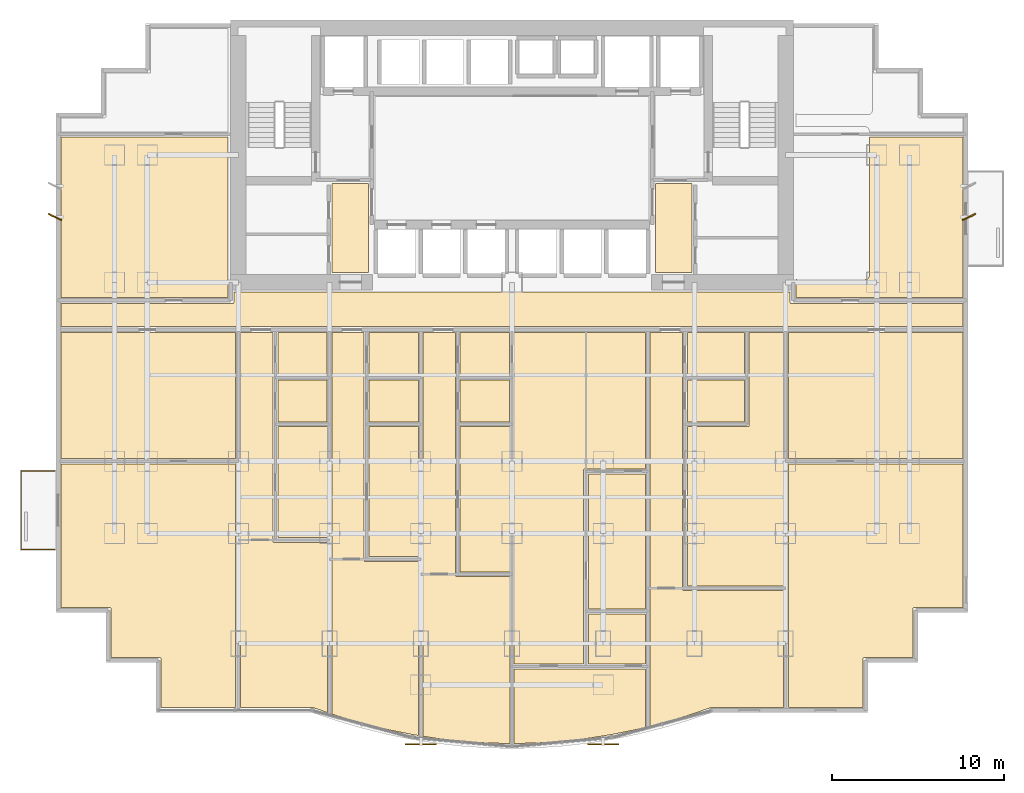
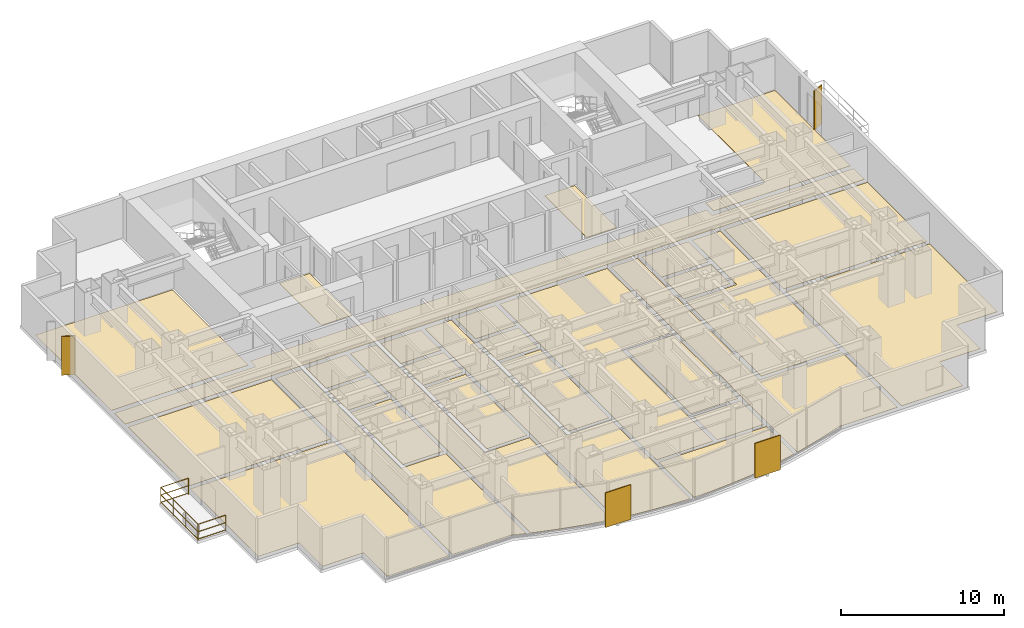
# One storey, part 9 of 10: 29 coverings, 4 shading devices, 1 railing.
"""IFC4 building model written with IfcOpenShell, lengths in metres."""

from ifc_helpers import new_model, si_unit, direction, frame, origin, origin_2d, place, context, subcontext, project, spatial, polyline, rectangle, circle, outline, extrude, source, transform, mapped, material, layer, layer_set, type_object, element, save


model = new_model("IFC4")

# Units and contexts
model_context = context("Model", 3, precision=1e-05, world=origin(), true_north=direction((0.0, 1.0)))
body_context = subcontext(model_context, "Body", "Model", "MODEL_VIEW")
ifc_project = project(units=[si_unit("LENGTHUNIT", "METRE"), si_unit("AREAUNIT", "SQUARE_METRE"), si_unit("VOLUMEUNIT", "CUBIC_METRE"), si_unit("PLANEANGLEUNIT", "RADIAN"), si_unit("MASSUNIT", "GRAM", prefix="KILO")], contexts=[model_context])

# Site, building, storey
site_placement = place(None, origin())
site = spatial("IfcSite", under=ifc_project, at=site_placement, CompositionType="ELEMENT")
building_placement = place(site_placement, origin())
building = spatial("IfcBuilding", under=site, at=building_placement, Name="Qianlan Lanfeng Residences", CompositionType="ELEMENT")
storey_placement = place(building_placement, frame((0.0, 0.0, 37.39990234375)))
storey = spatial("IfcBuildingStorey", under=building, at=storey_placement, Name="L09", CompositionType="ELEMENT", Elevation=37.39990234375)

# Coverings
ifc_material_1 = material(Name="Honed Taitung Granite Stone Flooring", Category="masonry")
ifc_layer_1 = layer(ifc_material_1, 0.030029296875)
ifc_layer_set_1 = layer_set([ifc_layer_1], Name="Honed Taitung Granite Stone Flooring")
covering_type_1 = type_object("IfcCoveringType", Name="FLR-STN-30", PredefinedType="FLOORING", material=ifc_layer_set_1)
covering_1_placement = place(storey_placement, origin())
element("IfcCovering", 1, at=covering_1_placement, inside=storey, type_object=covering_type_1, Name="L09 Residential Corridor Floor Finish", PredefinedType="FLOORING", context=body_context, shape_type="SweptSolid", body=[
    extrude(outline(polyline([(0.2900390625, 22.6298828125), (52.7099609375, 22.6298828125), (52.7099609375, 23.969970703125), (42.739990234375, 23.969970703125), (42.73291015625, 23.969970703125), (42.72607421875, 23.970947265625), (42.719970703125, 23.972900390625), (42.712890625, 23.97509765625), (42.70703125, 23.97802734375), (42.700927734375, 23.98193359375), (42.696044921875, 23.986083984375), (42.69091796875, 23.990966796875), (42.68603515625, 23.99609375), (42.681884765625, 24.0009765625), (42.677978515625, 24.007080078125), (42.675048828125, 24.012939453125), (42.673095703125, 24.02001953125), (42.6708984375, 24.02587890625), (42.669921875, 24.032958984375), (42.669921875, 24.0400390625), (42.669921875, 24.64990234375), (10.330078125, 24.64990234375), (10.330078125, 24.0400390625), (10.330078125, 24.032958984375), (10.3291015625, 24.02587890625), (10.326904296875, 24.02001953125), (10.324951171875, 24.012939453125), (10.322021484375, 24.007080078125), (10.318115234375, 24.0009765625), (10.31396484375, 23.99609375), (10.30908203125, 23.990966796875), (10.303955078125, 23.986083984375), (10.299072265625, 23.98193359375), (10.29296875, 23.97802734375), (10.287109375, 23.97509765625), (10.280029296875, 23.972900390625), (10.27392578125, 23.970947265625), (10.26708984375, 23.969970703125), (10.260009765625, 23.969970703125), (0.2900390625, 23.969970703125), (0.2900390625, 22.6298828125)])), origin(), (0.0, 0.0, 1.0), 0.030029296875),
])
covering_2_placement = place(storey_placement, origin())
element("IfcCovering", 2, at=covering_2_placement, inside=storey, type_object=covering_type_1, Name="L09 Lift Lobby Floor Finish", PredefinedType="FLOORING", context=body_context, shape_type="SweptSolid", body=[
    extrude(outline(polyline([(16.030029296875, 25.760009765625), (18.169921875, 25.760009765625), (18.169921875, 30.949951171875), (16.030029296875, 30.949951171875), (16.030029296875, 25.760009765625)])), origin(), (0.0, 0.0, 1.0), 0.030029296875),
])
covering_3_placement = place(storey_placement, origin())
element("IfcCovering", 3, at=covering_3_placement, inside=storey, type_object=covering_type_1, Name="L09 Lift Lobby Floor Finish", PredefinedType="FLOORING", context=body_context, shape_type="SweptSolid", body=[
    extrude(outline(polyline([(34.830078125, 25.760009765625), (36.969970703125, 25.760009765625), (36.969970703125, 30.949951171875), (34.830078125, 30.949951171875), (34.830078125, 25.760009765625)])), origin(), (0.0, 0.0, 1.0), 0.030029296875),
])
ifc_material_2 = material(Name="Slip-Resistant Porcelain Tile Flooring")
ifc_layer_2 = layer(ifc_material_2, 0.02001953125)
ifc_layer_set_2 = layer_set([ifc_layer_2], Name="Slip-Resistant Porcelain Tile Flooring")
covering_type_2 = type_object("IfcCoveringType", Name="FLR-TIL-20", PredefinedType="FLOORING", material=ifc_layer_set_2)
covering_4_placement = place(storey_placement, origin())
element("IfcCovering", 4, at=covering_4_placement, inside=storey, type_object=covering_type_2, Name="L09 Kitchen Floor Finish", PredefinedType="FLOORING", context=body_context, shape_type="SweptSolid", body=[
    extrude(outline(polyline([(12.889892578125, 17.090087890625), (15.760009765625, 17.090087890625), (15.760009765625, 19.510009765625), (12.889892578125, 19.510009765625), (12.889892578125, 17.090087890625)])), origin(), (0.0, 0.0, 1.0), 0.02001953125),
])
covering_5_placement = place(storey_placement, origin())
element("IfcCovering", 5, at=covering_5_placement, inside=storey, type_object=covering_type_2, Name="L09 Bathroom Floor Finish", PredefinedType="FLOORING", context=body_context, shape_type="SweptSolid", body=[
    extrude(outline(polyline([(12.889892578125, 19.7900390625), (15.760009765625, 19.7900390625), (15.760009765625, 22.280029296875), (12.889892578125, 22.280029296875), (12.889892578125, 19.7900390625)])), origin(), (0.0, 0.0, 1.0), 0.02001953125),
])
covering_6_placement = place(storey_placement, origin())
element("IfcCovering", 6, at=covering_6_placement, inside=storey, type_object=covering_type_2, Name="L09 Kitchen Floor Finish", PredefinedType="FLOORING", context=body_context, shape_type="SweptSolid", body=[
    extrude(outline(polyline([(18.18994140625, 17.090087890625), (21.06005859375, 17.090087890625), (21.06005859375, 19.510009765625), (18.18994140625, 19.510009765625), (18.18994140625, 17.090087890625)])), origin(), (0.0, 0.0, 1.0), 0.02001953125),
])
covering_7_placement = place(storey_placement, origin())
element("IfcCovering", 7, at=covering_7_placement, inside=storey, type_object=covering_type_2, Name="L09 Bathroom Floor Finish", PredefinedType="FLOORING", context=body_context, shape_type="SweptSolid", body=[
    extrude(outline(polyline([(18.18994140625, 19.7900390625), (21.06005859375, 19.7900390625), (21.06005859375, 22.280029296875), (18.18994140625, 22.280029296875), (18.18994140625, 19.7900390625)])), origin(), (0.0, 0.0, 1.0), 0.02001953125),
])
covering_8_placement = place(storey_placement, origin())
element("IfcCovering", 8, at=covering_8_placement, inside=storey, type_object=covering_type_2, Name="L09 Kitchen Floor Finish", PredefinedType="FLOORING", context=body_context, shape_type="SweptSolid", body=[
    extrude(outline(polyline([(23.489990234375, 17.090087890625), (26.360107421875, 17.090087890625), (26.360107421875, 19.510009765625), (23.489990234375, 19.510009765625), (23.489990234375, 17.090087890625)])), origin(), (0.0, 0.0, 1.0), 0.02001953125),
])
covering_9_placement = place(storey_placement, origin())
element("IfcCovering", 9, at=covering_9_placement, inside=storey, type_object=covering_type_2, Name="L09 Bathroom Floor Finish", PredefinedType="FLOORING", context=body_context, shape_type="SweptSolid", body=[
    extrude(outline(polyline([(23.489990234375, 19.7900390625), (26.360107421875, 19.7900390625), (26.360107421875, 22.280029296875), (23.489990234375, 22.280029296875), (23.489990234375, 19.7900390625)])), origin(), (0.0, 0.0, 1.0), 0.02001953125),
])
covering_10_placement = place(storey_placement, origin())
element("IfcCovering", 10, at=covering_10_placement, inside=storey, type_object=covering_type_2, Name="L09 En-Suite Bathroom Floor Finish", PredefinedType="FLOORING", context=body_context, shape_type="SweptSolid", body=[
    extrude(outline(polyline([(30.93994140625, 3.012939453125), (34.27001953125, 3.012939453125), (34.27001953125, 5.93310546875), (30.93994140625, 5.93310546875), (30.93994140625, 3.012939453125)])), origin(), (0.0, 0.0, 1.0), 0.02001953125),
])
covering_11_placement = place(storey_placement, origin())
element("IfcCovering", 11, at=covering_11_placement, inside=storey, type_object=covering_type_2, Name="L09 Kitchen Floor Finish", PredefinedType="FLOORING", context=body_context, shape_type="SweptSolid", body=[
    extrude(outline(polyline([(36.68994140625, 17.090087890625), (40.010009765625, 17.090087890625), (40.010009765625, 19.510009765625), (36.68994140625, 19.510009765625), (36.68994140625, 17.090087890625)])), origin(), (0.0, 0.0, 1.0), 0.02001953125),
])
covering_12_placement = place(storey_placement, origin())
element("IfcCovering", 12, at=covering_12_placement, inside=storey, type_object=covering_type_2, Name="L09 Bathroom Floor Finish", PredefinedType="FLOORING", context=body_context, shape_type="SweptSolid", body=[
    extrude(outline(polyline([(36.68994140625, 19.7900390625), (40.010009765625, 19.7900390625), (40.010009765625, 22.280029296875), (36.68994140625, 22.280029296875), (36.68994140625, 19.7900390625)])), origin(), (0.0, 0.0, 1.0), 0.02001953125),
])
ifc_material_3 = material(Name="Engineered Smoked Oak Timber Flooring", Category="wood")
ifc_layer_3 = layer(ifc_material_3, 0.02197265625)
ifc_layer_set_3 = layer_set([ifc_layer_3], Name="Engineered Smoked Oak Timber Flooring")
covering_type_3 = type_object("IfcCoveringType", Name="FLR-TIM-22", PredefinedType="FLOORING", material=ifc_layer_set_3)
covering_13_placement = place(storey_placement, origin())
element("IfcCovering", 13, at=covering_13_placement, inside=storey, type_object=covering_type_3, Name="L09 Studio Living Room Floor Finish", PredefinedType="FLOORING", context=body_context, shape_type="SweptSolid", body=[
    extrude(outline(polyline([(15.77001953125, 0.195068359375), (15.77001953125, 10.080078125), (12.679931640625, 10.080078125), (12.673095703125, 10.080078125), (12.666015625, 10.0810546875), (12.659912109375, 10.0830078125), (12.653076171875, 10.0849609375), (12.64697265625, 10.087890625), (12.64111328125, 10.092041015625), (12.635986328125, 10.095947265625), (12.631103515625, 10.10107421875), (12.6259765625, 10.10595703125), (12.6220703125, 10.111083984375), (12.617919921875, 10.116943359375), (12.614990234375, 10.123046875), (12.613037109375, 10.1298828125), (12.611083984375, 10.135986328125), (12.610107421875, 10.14306640625), (12.610107421875, 10.14990234375), (12.610107421875, 22.280029296875), (10.72998046875, 22.280029296875), (10.72998046875, 0.489990234375), (14.885986328125, 0.489990234375), (14.89404296875, 0.489990234375), (14.90087890625, 0.488037109375), (14.908935546875, 0.486083984375), (15.77001953125, 0.195068359375)])), origin(), (0.0, 0.0, 1.0), 0.022216796875),
])
covering_14_placement = place(storey_placement, origin())
element("IfcCovering", 14, at=covering_14_placement, inside=storey, type_object=covering_type_3, Name="L09 Villa Family Sitting Room Floor Finish", PredefinedType="FLOORING", context=body_context, shape_type="SweptSolid", body=[
    extrude(outline(polyline([(12.889892578125, 16.81005859375), (12.889892578125, 10.360107421875), (15.77001953125, 10.360107421875), (15.77001953125, 16.81005859375), (12.889892578125, 16.81005859375)])), origin(), (0.0, 0.0, 1.0), 0.022216796875),
])
covering_15_placement = place(storey_placement, origin())
element("IfcCovering", 15, at=covering_15_placement, inside=storey, type_object=covering_type_3, Name="L09 Studio Living Room Floor Finish", PredefinedType="FLOORING", context=body_context, shape_type="SweptSolid", body=[
    extrude(outline(polyline([(21.070068359375, -1.14404296875), (21.070068359375, 8.971923828125), (17.97998046875, 8.971923828125), (17.972900390625, 8.971923828125), (17.966064453125, 8.972900390625), (17.9599609375, 8.97509765625), (17.952880859375, 8.97705078125), (17.947021484375, 8.97998046875), (17.94091796875, 8.98388671875), (17.93603515625, 8.988037109375), (17.930908203125, 8.992919921875), (17.926025390625, 8.998046875), (17.922119140625, 9.0029296875), (17.91796875, 9.009033203125), (17.9150390625, 9.014892578125), (17.9130859375, 9.02197265625), (17.910888671875, 9.028076171875), (17.909912109375, 9.034912109375), (17.909912109375, 9.0419921875), (17.909912109375, 22.280029296875), (16.030029296875, 22.280029296875), (16.030029296875, 0.10693359375), (16.39306640625, -0.014892578125), (17.837890625, -0.43896484375), (19.282958984375, -0.797119140625), (20.72607421875, -1.090087890625), (21.070068359375, -1.14404296875)])), origin(), (0.0, 0.0, 1.0), 0.022216796875),
])
covering_16_placement = place(storey_placement, origin())
element("IfcCovering", 16, at=covering_16_placement, inside=storey, type_object=covering_type_3, Name="L09 Villa Family Sitting Room Floor Finish", PredefinedType="FLOORING", context=body_context, shape_type="SweptSolid", body=[
    extrude(outline(polyline([(18.18994140625, 16.81005859375), (18.18994140625, 9.251953125), (21.070068359375, 9.251953125), (21.070068359375, 16.81005859375), (18.18994140625, 16.81005859375)])), origin(), (0.0, 0.0, 1.0), 0.022216796875),
])
covering_17_placement = place(storey_placement, origin())
element("IfcCovering", 17, at=covering_17_placement, inside=storey, type_object=covering_type_3, Name="L09 Living and Dining Room Floor Finish", PredefinedType="FLOORING", context=body_context, shape_type="SweptSolid", body=[
    extrude(outline(polyline([(26.3701171875, -1.60693359375), (26.3701171875, 8.093994140625), (23.280029296875, 8.093994140625), (23.27294921875, 8.093994140625), (23.26611328125, 8.094970703125), (23.260009765625, 8.096923828125), (23.2529296875, 8.09912109375), (23.2470703125, 8.10205078125), (23.240966796875, 8.10595703125), (23.236083984375, 8.110107421875), (23.23095703125, 8.114990234375), (23.22607421875, 8.1201171875), (23.221923828125, 8.125), (23.218017578125, 8.131103515625), (23.215087890625, 8.136962890625), (23.212890625, 8.14404296875), (23.2109375, 8.14990234375), (23.2099609375, 8.156982421875), (23.2099609375, 8.1640625), (23.2099609375, 22.280029296875), (21.330078125, 22.280029296875), (21.330078125, -1.18505859375), (22.169921875, -1.318115234375), (23.613037109375, -1.47998046875), (25.056884765625, -1.576904296875), (26.3701171875, -1.60693359375)])), origin(), (0.0, 0.0, 1.0), 0.022216796875),
])
covering_18_placement = place(storey_placement, origin())
element("IfcCovering", 18, at=covering_18_placement, inside=storey, type_object=covering_type_3, Name="L09 Villa Family Sitting Room Floor Finish", PredefinedType="FLOORING", context=body_context, shape_type="SweptSolid", body=[
    extrude(outline(polyline([(23.489990234375, 16.81005859375), (23.489990234375, 8.3740234375), (26.3701171875, 8.3740234375), (26.3701171875, 16.81005859375), (23.489990234375, 16.81005859375)])), origin(), (0.0, 0.0, 1.0), 0.022216796875),
])
covering_19_placement = place(storey_placement, origin())
element("IfcCovering", 19, at=covering_19_placement, inside=storey, type_object=covering_type_3, Name="L09 Private Study Floor Finish", PredefinedType="FLOORING", context=body_context, shape_type="SweptSolid", body=[
    extrude(outline(polyline([(30.93994140625, 6.212890625), (34.27001953125, 6.212890625), (34.27001953125, 14.072021484375), (30.93994140625, 14.072021484375), (30.93994140625, 6.212890625)])), origin(), (0.0, 0.0, 1.0), 0.022216796875),
])
covering_20_placement = place(storey_placement, origin())
element("IfcCovering", 20, at=covering_20_placement, inside=storey, type_object=covering_type_3, Name="L09 Villa Family Sitting Room Floor Finish", PredefinedType="FLOORING", context=body_context, shape_type="SweptSolid", body=[
    extrude(outline(polyline([(26.6298828125, 3.012939453125), (30.659912109375, 3.012939453125), (30.659912109375, 14.281982421875), (30.659912109375, 14.2890625), (30.660888671875, 14.2958984375), (30.6630859375, 14.302001953125), (30.6650390625, 14.30908203125), (30.66796875, 14.31494140625), (30.672119140625, 14.321044921875), (30.676025390625, 14.325927734375), (30.680908203125, 14.3310546875), (30.68603515625, 14.3359375), (30.69091796875, 14.340087890625), (30.697021484375, 14.343994140625), (30.702880859375, 14.346923828125), (30.7099609375, 14.34912109375), (30.716064453125, 14.35107421875), (30.722900390625, 14.35205078125), (30.72998046875, 14.35205078125), (34.27001953125, 14.35205078125), (34.27001953125, 22.280029296875), (26.6298828125, 22.280029296875), (26.6298828125, 3.012939453125)])), origin(), (0.0, 0.0, 1.0), 0.022216796875),
])
covering_21_placement = place(storey_placement, origin())
element("IfcCovering", 21, at=covering_21_placement, inside=storey, type_object=covering_type_3, Name="L09 Master Bedroom Floor Finish", PredefinedType="FLOORING", context=body_context, shape_type="SweptSolid", body=[
    extrude(outline(polyline([(26.6298828125, 2.73291015625), (26.6298828125, -1.60693359375), (27.943115234375, -1.576904296875), (29.385986328125, -1.47998046875), (30.830078125, -1.318115234375), (32.27392578125, -1.090087890625), (33.717041015625, -0.797119140625), (34.27001953125, -0.659912109375), (34.27001953125, 2.73291015625), (26.6298828125, 2.73291015625)])), origin(), (0.0, 0.0, 1.0), 0.022216796875),
])
covering_22_placement = place(storey_placement, origin())
element("IfcCovering", 22, at=covering_22_placement, inside=storey, type_object=covering_type_3, Name="L09 Studio Living Room Floor Finish", PredefinedType="FLOORING", context=body_context, shape_type="SweptSolid", body=[
    extrude(outline(polyline([(42.27001953125, 0.489990234375), (42.27001953125, 7.280029296875), (36.47998046875, 7.280029296875), (36.472900390625, 7.280029296875), (36.466064453125, 7.281005859375), (36.4599609375, 7.282958984375), (36.452880859375, 7.284912109375), (36.447021484375, 7.2880859375), (36.44091796875, 7.2919921875), (36.43603515625, 7.2958984375), (36.430908203125, 7.301025390625), (36.426025390625, 7.305908203125), (36.422119140625, 7.31103515625), (36.41796875, 7.31689453125), (36.4150390625, 7.322998046875), (36.4130859375, 7.330078125), (36.410888671875, 7.3359375), (36.409912109375, 7.343017578125), (36.409912109375, 7.35009765625), (36.409912109375, 22.280029296875), (34.530029296875, 22.280029296875), (34.530029296875, -0.595947265625), (35.160888671875, -0.43896484375), (36.60693359375, -0.014892578125), (38.091064453125, 0.486083984375), (38.09912109375, 0.488037109375), (38.10595703125, 0.489990234375), (38.114013671875, 0.489990234375), (42.27001953125, 0.489990234375)])), origin(), (0.0, 0.0, 1.0), 0.022216796875),
])
covering_23_placement = place(storey_placement, origin())
element("IfcCovering", 23, at=covering_23_placement, inside=storey, type_object=covering_type_3, Name="L09 Villa Family Sitting Room Floor Finish", PredefinedType="FLOORING", context=body_context, shape_type="SweptSolid", body=[
    extrude(outline(polyline([(36.68994140625, 7.56005859375), (42.27001953125, 7.56005859375), (42.27001953125, 22.280029296875), (40.2900390625, 22.280029296875), (40.2900390625, 16.8798828125), (40.2900390625, 16.873046875), (40.2890625, 16.865966796875), (40.287109375, 16.860107421875), (40.284912109375, 16.85302734375), (40.281982421875, 16.846923828125), (40.278076171875, 16.841064453125), (40.27392578125, 16.8359375), (40.26904296875, 16.8310546875), (40.263916015625, 16.825927734375), (40.259033203125, 16.822021484375), (40.2529296875, 16.818115234375), (40.2470703125, 16.81494140625), (40.239990234375, 16.81298828125), (40.23388671875, 16.81103515625), (40.22705078125, 16.81005859375), (40.219970703125, 16.81005859375), (36.68994140625, 16.81005859375), (36.68994140625, 7.56005859375)])), origin(), (0.0, 0.0, 1.0), 0.022216796875),
])
covering_24_placement = place(storey_placement, origin())
element("IfcCovering", 24, at=covering_24_placement, inside=storey, type_object=covering_type_3, Name="L09 Sunroom Floor Finish", PredefinedType="FLOORING", context=body_context, shape_type="SweptSolid", body=[
    extrude(outline(polyline([(10.43994140625, 14.64990234375), (0.2900390625, 14.64990234375), (0.2900390625, 6.2900390625), (3.1201171875, 6.2900390625), (3.126953125, 6.2900390625), (3.134033203125, 6.2890625), (3.139892578125, 6.287109375), (3.14697265625, 6.284912109375), (3.153076171875, 6.281982421875), (3.158935546875, 6.278076171875), (3.1640625, 6.27392578125), (3.1689453125, 6.26904296875), (3.174072265625, 6.263916015625), (3.177978515625, 6.259033203125), (3.181884765625, 6.2529296875), (3.18505859375, 6.2470703125), (3.18701171875, 6.239990234375), (3.18896484375, 6.23388671875), (3.18994140625, 6.22705078125), (3.18994140625, 6.219970703125), (3.18994140625, 3.389892578125), (6.02001953125, 3.389892578125), (6.027099609375, 3.389892578125), (6.033935546875, 3.388916015625), (6.0400390625, 3.386962890625), (6.047119140625, 3.385009765625), (6.052978515625, 3.382080078125), (6.05908203125, 3.3779296875), (6.06396484375, 3.3740234375), (6.069091796875, 3.368896484375), (6.073974609375, 3.364013671875), (6.077880859375, 3.35888671875), (6.08203125, 3.35302734375), (6.0849609375, 3.346923828125), (6.0869140625, 3.340087890625), (6.089111328125, 3.333984375), (6.090087890625, 3.326904296875), (6.090087890625, 3.320068359375), (6.090087890625, 0.489990234375), (10.43994140625, 0.489990234375), (10.43994140625, 14.64990234375)])), origin(), (0.0, 0.0, 1.0), 0.022216796875),
])
covering_25_placement = place(storey_placement, origin())
element("IfcCovering", 25, at=covering_25_placement, inside=storey, type_object=covering_type_3, Name="L09 Family Sitting Room Floor Finish", PredefinedType="FLOORING", context=body_context, shape_type="SweptSolid", body=[
    extrude(outline(polyline([(10.43994140625, 22.280029296875), (0.2900390625, 22.280029296875), (0.2900390625, 14.949951171875), (10.43994140625, 14.949951171875), (10.43994140625, 22.280029296875)])), origin(), (0.0, 0.0, 1.0), 0.022216796875),
])
covering_26_placement = place(storey_placement, origin())
element("IfcCovering", 26, at=covering_26_placement, inside=storey, type_object=covering_type_3, Name="L09 Sunroom Floor Finish", PredefinedType="FLOORING", context=body_context, shape_type="SweptSolid", body=[
    extrude(outline(polyline([(52.7099609375, 14.64990234375), (42.56005859375, 14.64990234375), (42.56005859375, 0.489990234375), (46.909912109375, 0.489990234375), (46.909912109375, 3.320068359375), (46.909912109375, 3.326904296875), (46.910888671875, 3.333984375), (46.9130859375, 3.340087890625), (46.9150390625, 3.346923828125), (46.91796875, 3.35302734375), (46.922119140625, 3.35888671875), (46.926025390625, 3.364013671875), (46.930908203125, 3.368896484375), (46.93603515625, 3.3740234375), (46.94091796875, 3.3779296875), (46.947021484375, 3.382080078125), (46.952880859375, 3.385009765625), (46.9599609375, 3.386962890625), (46.966064453125, 3.388916015625), (46.972900390625, 3.389892578125), (46.97998046875, 3.389892578125), (49.81005859375, 3.389892578125), (49.81005859375, 6.219970703125), (49.81005859375, 6.22705078125), (49.81103515625, 6.23388671875), (49.81298828125, 6.239990234375), (49.81494140625, 6.2470703125), (49.818115234375, 6.2529296875), (49.822021484375, 6.259033203125), (49.825927734375, 6.263916015625), (49.8310546875, 6.26904296875), (49.8359375, 6.27392578125), (49.841064453125, 6.278076171875), (49.846923828125, 6.281982421875), (49.85302734375, 6.284912109375), (49.860107421875, 6.287109375), (49.865966796875, 6.2890625), (49.873046875, 6.2900390625), (49.8798828125, 6.2900390625), (52.7099609375, 6.2900390625), (52.7099609375, 14.64990234375)])), origin(), (0.0, 0.0, 1.0), 0.022216796875),
])
covering_27_placement = place(storey_placement, origin())
element("IfcCovering", 27, at=covering_27_placement, inside=storey, type_object=covering_type_3, Name="L09 Private Study Floor Finish", PredefinedType="FLOORING", context=body_context, shape_type="SweptSolid", body=[
    extrude(outline(polyline([(52.7099609375, 22.280029296875), (42.56005859375, 22.280029296875), (42.56005859375, 14.949951171875), (52.7099609375, 14.949951171875), (52.7099609375, 22.280029296875)])), origin(), (0.0, 0.0, 1.0), 0.022216796875),
])
covering_28_placement = place(storey_placement, origin())
element("IfcCovering", 28, at=covering_28_placement, inside=storey, type_object=covering_type_3, Name="L09 Conservatory Salon Floor Finish", PredefinedType="FLOORING", context=body_context, shape_type="SweptSolid", body=[
    extrude(outline(polyline([(10.0, 33.64990234375), (0.2900390625, 33.64990234375), (0.2900390625, 24.330078125), (10.0, 24.330078125), (10.0, 33.64990234375)])), origin(), (0.0, 0.0, 1.0), 0.022216796875),
])
covering_29_placement = place(storey_placement, origin())
element("IfcCovering", 29, at=covering_29_placement, inside=storey, type_object=covering_type_3, Name="L09 Conservatory Salon Floor Finish", PredefinedType="FLOORING", context=body_context, shape_type="SweptSolid", body=[
    extrude(outline(polyline([(52.7099609375, 33.64990234375), (47.27001953125, 33.64990234375), (47.27001953125, 25.60009765625), (47.26904296875, 25.574951171875), (47.264892578125, 25.551025390625), (47.259033203125, 25.527099609375), (47.2509765625, 25.50390625), (47.239990234375, 25.48193359375), (47.22802734375, 25.4609375), (47.212890625, 25.44091796875), (47.197021484375, 25.423095703125), (47.178955078125, 25.406982421875), (47.158935546875, 25.39208984375), (47.137939453125, 25.3798828125), (47.115966796875, 25.368896484375), (47.093017578125, 25.361083984375), (47.069091796875, 25.35498046875), (47.044921875, 25.35107421875), (47.02001953125, 25.35009765625), (43.080078125, 25.35009765625), (43.054931640625, 25.35107421875), (43.031005859375, 25.35498046875), (43.007080078125, 25.361083984375), (43.0, 25.363037109375), (43.0, 24.330078125), (52.7099609375, 24.330078125), (52.7099609375, 33.64990234375)])), origin(), (0.0, 0.0, 1.0), 0.022216796875),
])

# Railing
ifc_material_4 = material(Name="Anodised Bronze Aluminium and Laminated Glass Guard Balustrade", Category="aluminium")
railing_type = type_object("IfcRailingType", Name="GR-EXT-1220", PredefinedType="BALUSTRADE", material=ifc_material_4)
railing_placement = place(storey_placement, frame((-0.070068359375, 9.669921875, 0.0)))
element("IfcRailing", 30, at=railing_placement, inside=storey, type_object=railing_type, Name="L09 Terrace Safety Guard GR-L09-WB-S", PredefinedType="BALUSTRADE", context=body_context, shape_type="SweptSolid", body=[
    extrude(circle(Radius=0.02490234375, at=origin_2d()), frame((0.0, 0.0, 0.0849609375), z_axis=(-1.0, 0.0, 0.0), x_axis=(0.0, -1.0, 0.0)), (0.0, 0.0, 1.0), 1.9599609375),
    extrude(circle(Radius=0.02490234375, at=origin_2d()), frame((0.0, 0.0, 0.63427734375), z_axis=(-1.0, 0.0, 0.0), x_axis=(0.0, -1.0, 0.0)), (0.0, 0.0, 1.0), 1.9599609375),
    extrude(circle(Radius=0.02490234375, at=origin_2d()), frame((0.0, 0.0, 1.19482421875), z_axis=(-1.0, 0.0, 0.0), x_axis=(0.0, -1.0, 0.0)), (0.0, 0.0, 1.0), 1.9599609375),
    extrude(circle(Radius=0.02490234375, at=origin_2d()), frame((-1.9599609375, 0.0, 0.0849609375), z_axis=(0.0, 1.0, 0.0), x_axis=(-1.0, 0.0, 0.0)), (0.0, 0.0, 1.0), 4.56005859375),
    extrude(circle(Radius=0.02490234375, at=origin_2d()), frame((-1.9599609375, 0.0, 0.63427734375), z_axis=(0.0, 1.0, 0.0), x_axis=(-1.0, 0.0, 0.0)), (0.0, 0.0, 1.0), 4.56005859375),
    extrude(circle(Radius=0.02490234375, at=origin_2d()), frame((-1.9599609375, 0.0, 1.19482421875), z_axis=(0.0, 1.0, 0.0), x_axis=(-1.0, 0.0, 0.0)), (0.0, 0.0, 1.0), 4.56005859375),
    extrude(circle(Radius=0.02490234375, at=origin_2d()), frame((-1.9599609375, 4.56005859375, 0.0849609375), z_axis=(1.0, 0.0, 0.0), x_axis=(0.0, 1.0, 0.0)), (0.0, 0.0, 1.0), 1.9599609375),
    extrude(circle(Radius=0.02490234375, at=origin_2d()), frame((-1.9599609375, 4.56005859375, 0.63427734375), z_axis=(1.0, 0.0, 0.0), x_axis=(0.0, 1.0, 0.0)), (0.0, 0.0, 1.0), 1.9599609375),
    extrude(circle(Radius=0.02490234375, at=origin_2d()), frame((-1.9599609375, 4.56005859375, 1.19482421875), z_axis=(1.0, 0.0, 0.0), x_axis=(0.0, 1.0, 0.0)), (0.0, 0.0, 1.0), 1.9599609375),
    extrude(circle(Radius=0.02099609375, at=origin_2d()), origin(), (0.0, 0.0, 1.0), 1.169921875),
    extrude(circle(Radius=0.02099609375, at=origin_2d()), frame((-1.9599609375, 0.0, 0.0)), (0.0, 0.0, 1.0), 1.169921875),
    extrude(circle(Radius=0.02099609375, at=origin_2d()), frame((-1.9599609375, 1.52001953125, 0.0)), (0.0, 0.0, 1.0), 1.169921875),
    extrude(circle(Radius=0.02099609375, at=origin_2d()), frame((-1.9599609375, 3.0400390625, 0.0)), (0.0, 0.0, 1.0), 1.169921875),
    extrude(circle(Radius=0.02099609375, at=origin_2d()), frame((-1.9599609375, 4.56005859375, 0.0)), (0.0, 0.0, 1.0), 1.169921875),
    extrude(circle(Radius=0.02099609375, at=origin_2d()), frame((0.0, 4.56005859375, 0.0)), (0.0, 0.0, 1.0), 1.169921875),
])

# Shading devices
ifc_material_5 = material(Name="Perforated Bronze Aluminium Solar Screen", Category="aluminium")
shading_device_type_1 = type_object("IfcShadingDeviceType", Name="SCR-BRZ-1800", PredefinedType="JALOUSIE", material=ifc_material_5)
shared_shape_1 = source(origin(), body_context, "Body", "SweptSolid", [
    extrude(rectangle(XDim=1.800048828125, YDim=0.06005859375, at=origin_2d()), origin(), (0.0, 0.0, 1.0), 2.60009765625),
])
for number, where, z_axis, x_axis, name in (
    (31, (21.199951171875, -1.659912109375, 0.0), (0.0, 0.0, 1.0), (1.0, 0.0, 0.0), "L09 Perforated Bronze Solar Screen 1"),
    (32, (31.800048828125, -1.659912109375, 0.0), (0.0, 0.0, 1.0), (1.0, 0.0, 0.0), "L09 Perforated Bronze Solar Screen 2"),
):
    element("IfcShadingDevice", number, at=place(storey_placement, frame(where, z_axis=z_axis, x_axis=x_axis)), inside=storey, type_object=shading_device_type_1, Name=name, PredefinedType="JALOUSIE", context=body_context, shape_type="MappedRepresentation", body=[
        mapped(shared_shape_1, transform((0.0, 0.0, 0.0), scale=1.0)),
    ])
ifc_material_6 = material(Name="Anodised Bronze Aluminium Solar Fin", Category="aluminium")
shading_device_type_2 = type_object("IfcShadingDeviceType", Name="FIN-BRZ-850", PredefinedType="SHUTTER", material=ifc_material_6)
shared_shape_2 = source(origin(), body_context, "Body", "SweptSolid", [
    extrude(rectangle(XDim=0.85009765625, YDim=0.080078125, at=origin_2d()), origin(), (0.0, 0.0, 1.0), 2.89990234375),
])
for number, where, z_axis, x_axis, name in (
    (33, (-0.070068359375, 29.0, 0.000244140625), (0.0, 0.0, 1.0), (0.898794046299, -0.438371146789, 0.0), "L09 Raked Bronze Solar Fin W1"),
    (34, (53.070068359375, 29.0, 0.000244140625), (0.0, 0.0, 1.0), (0.898794046299, 0.438371146789, 0.0), "L09 Raked Bronze Solar Fin E1"),
):
    element("IfcShadingDevice", number, at=place(storey_placement, frame(where, z_axis=z_axis, x_axis=x_axis)), inside=storey, type_object=shading_device_type_2, Name=name, PredefinedType="SHUTTER", context=body_context, shape_type="MappedRepresentation", body=[
        mapped(shared_shape_2, transform((0.0, 0.0, 0.0), scale=1.0)),
    ])

save(model, "model.ifc")
